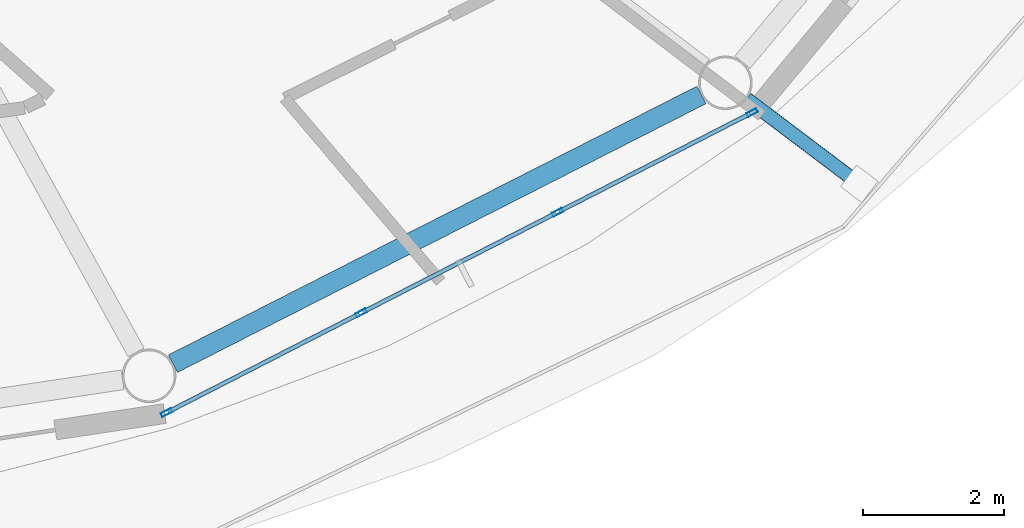
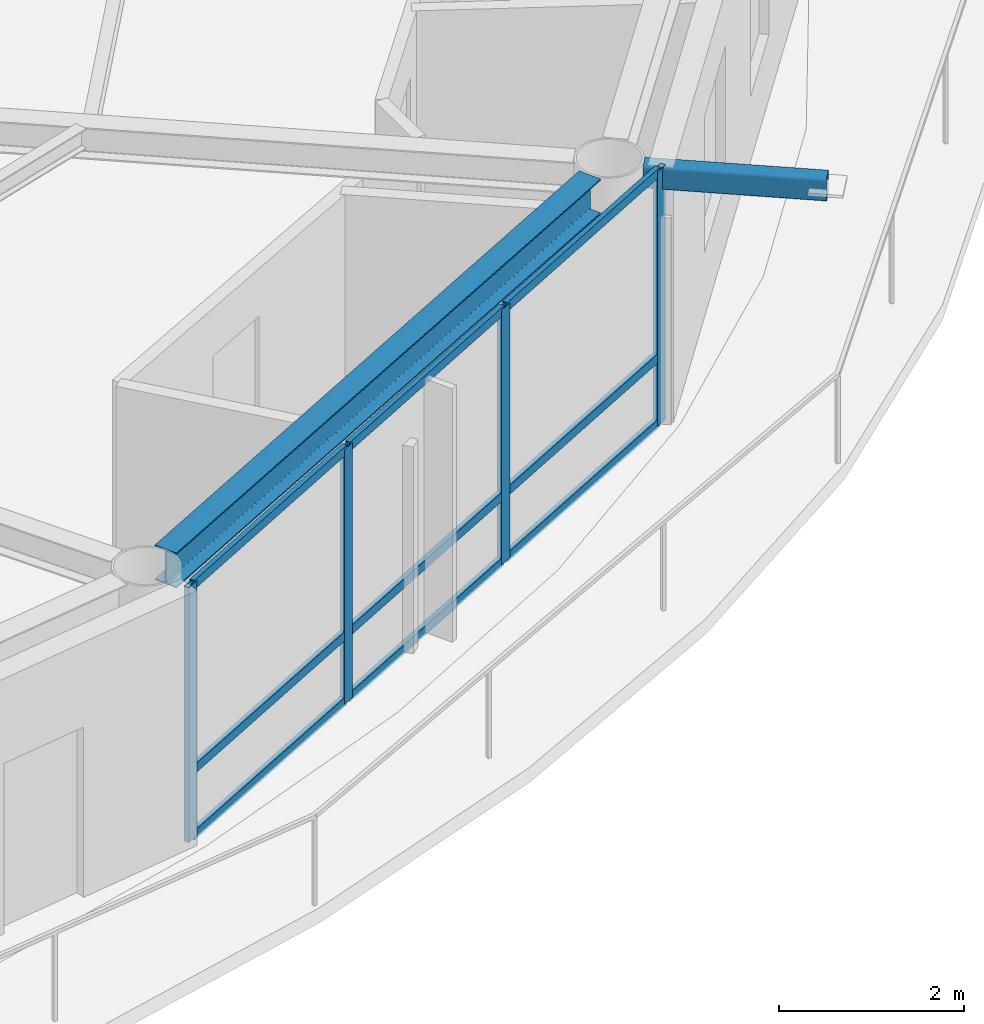
# One storey, part 5 of 23: 14 members, 1 beam, 1 element without a shape of its own.
"""IFC4 building model written with IfcOpenShell, lengths in metres."""

from ifc_helpers import new_model, si_unit, direction, frame, origin, origin_2d, place, context, subcontext, project, spatial, hollow_rectangle, i_section, extrude, material, layer, layer_set, material_profile, profile_set, type_object, element, aggregate, save


model = new_model("IFC4")

# Units and contexts
model_context = context("Model", 3, precision=1e-05, world=origin(), true_north=direction((0.0, 1.0)))
body_context = subcontext(model_context, "Body", "Model", "MODEL_VIEW")
ifc_project = project(units=[si_unit("LENGTHUNIT", "METRE"), si_unit("AREAUNIT", "SQUARE_METRE"), si_unit("VOLUMEUNIT", "CUBIC_METRE"), si_unit("PLANEANGLEUNIT", "RADIAN"), si_unit("MASSUNIT", "GRAM", prefix="KILO")], contexts=[model_context])

# Site, building, storey
site_placement = place(None, origin())
site = spatial("IfcSite", under=ifc_project, at=site_placement, CompositionType="ELEMENT")
building_placement = place(site_placement, origin())
building = spatial("IfcBuilding", under=site, at=building_placement, Name="Sarneth Arch Tower", CompositionType="ELEMENT")
storey_placement = place(building_placement, frame((0.0, 0.0, 273.0)))
storey = spatial("IfcBuildingStorey", under=building, at=storey_placement, Name="L70", CompositionType="ELEMENT", Elevation=273.0)

# Beam
ifc_material_1 = material(Name="Steel S355", Category="steel")
ifc_material_profile_1 = material_profile(ifc_material_1, i_section(OverallWidth=0.280029296875, OverallDepth=0.462890625, WebThickness=0.0107421875, FlangeThickness=0.017333984375, FilletRadius=0.01806640625, at=origin_2d()), Name="W460x113")
ifc_profile_set_1 = profile_set([ifc_material_profile_1], Name="Steel S355")
beam_type = type_object("IfcBeamType", Name="BM-RAD-460A", PredefinedType="BEAM", material=ifc_profile_set_1)
beam_placement = place(storey_placement, frame((58.13037109375, 24.434326171875, 3.138427734375), z_axis=(0.891373613492, 0.453269325204, 0.0), x_axis=(-0.453269325204, 0.891373613492, 0.0)))
element("IfcBeam", 1, at=beam_placement, inside=storey, type_object=beam_type, Name="L70 Perimeter spandrel beam 14", PredefinedType="BEAM", context=body_context, shape_type="SweptSolid", body=[
    extrude(i_section(OverallWidth=0.280029296875, OverallDepth=0.462890625, WebThickness=0.0107421875, FlangeThickness=0.017333984375, FilletRadius=0.01806640625, at=origin_2d()), origin(), (0.0, 0.0, 1.0), 8.419677734375),
])

# Curtain wall, members
ifc_material_2 = material(Name="Anodised aluminium Type AA25 and solar-control low-e laminated IGU", Category="aluminium")
ifc_layer = layer(ifc_material_2, 0.179931640625)
ifc_layer_set = layer_set([ifc_layer], Name="Anodised aluminium Type AA25 and solar-control low-e laminated IGU")
curtain_wall_type = type_object("IfcCurtainWallType", Name="CW-RES-HIGH", PredefinedType="NOTDEFINED", material=ifc_layer_set)
curtain_wall_placement = place(storey_placement, origin())
curtain_wall = element("IfcCurtainWall", 2, at=curtain_wall_placement, inside=storey, type_object=curtain_wall_type, Name="L70 Unitised curtain wall facet 14", PredefinedType="NOTDEFINED")
ifc_material_3 = material(Name="Anodised Aluminium 6063-T6", Category="aluminium")
ifc_material_profile_2 = material_profile(ifc_material_3, hollow_rectangle(XDim=0.06005859375, YDim=0.159912109375, WallThickness=0.00390625, at=origin_2d()), Name="AL-MULL-160x60x4")
ifc_profile_set_2 = profile_set([ifc_material_profile_2], Name="Anodised Aluminium 6063-T6")
member_type_1 = type_object("IfcMemberType", Name="CW-MULLION", PredefinedType="MULLION", material=ifc_profile_set_2)
member_1_placement = place(storey_placement, frame((58.039306640625, 23.7392578125, 0.0), z_axis=(0.0, 0.0, 1.0), x_axis=(-0.455941901753, 0.890009540525, 0.0)))
member_1 = element("IfcMember", 3, at=member_1_placement, type_object=member_type_1, Name="CW-SYS-6 mullion 1", PredefinedType="MULLION", context=body_context, shape_type="SweptSolid", body=[
    extrude(hollow_rectangle(XDim=0.06005859375, YDim=0.159912109375, WallThickness=0.00390625, at=origin_2d()), origin(), (0.0, 0.0, 1.0), 3.3701171875),
])
member_2_placement = place(storey_placement, frame((60.802490234375, 25.155029296875, 0.0), z_axis=(0.0, 0.0, 1.0), x_axis=(-0.455941901753, 0.890009540525, 0.0)))
member_2 = element("IfcMember", 4, at=member_2_placement, type_object=member_type_1, Name="CW-SYS-6 mullion 2", PredefinedType="MULLION", context=body_context, shape_type="SweptSolid", body=[
    extrude(hollow_rectangle(XDim=0.06005859375, YDim=0.159912109375, WallThickness=0.00390625, at=origin_2d()), origin(), (0.0, 0.0, 1.0), 3.3701171875),
])
member_3_placement = place(storey_placement, frame((63.592529296875, 26.584228515625, 0.0), z_axis=(0.0, 0.0, 1.0), x_axis=(-0.455941901753, 0.890009540525, 0.0)))
member_3 = element("IfcMember", 5, at=member_3_placement, type_object=member_type_1, Name="CW-SYS-6 mullion 3", PredefinedType="MULLION", context=body_context, shape_type="SweptSolid", body=[
    extrude(hollow_rectangle(XDim=0.06005859375, YDim=0.159912109375, WallThickness=0.00390625, at=origin_2d()), origin(), (0.0, 0.0, 1.0), 3.3701171875),
])
member_4_placement = place(storey_placement, frame((66.355712890625, 27.999755859375, 0.0), z_axis=(0.0, 0.0, 1.0), x_axis=(-0.455941901753, 0.890009540525, 0.0)))
member_4 = element("IfcMember", 6, at=member_4_placement, type_object=member_type_1, Name="CW-SYS-6 mullion 4", PredefinedType="MULLION", context=body_context, shape_type="SweptSolid", body=[
    extrude(hollow_rectangle(XDim=0.06005859375, YDim=0.159912109375, WallThickness=0.00390625, at=origin_2d()), origin(), (0.0, 0.0, 1.0), 3.3701171875),
])
ifc_material_4 = material(Name="Anodised Aluminium 6063-T6", Category="aluminium")
ifc_material_profile_3 = material_profile(ifc_material_4, hollow_rectangle(XDim=0.06005859375, YDim=0.1201171875, WallThickness=0.00390625, at=origin_2d()), Name="AL-TRAN-120x60x4")
ifc_profile_set_3 = profile_set([ifc_material_profile_3], Name="Anodised Aluminium 6063-T6")
member_type_2 = type_object("IfcMemberType", Name="CW-TRANSOM", PredefinedType="USERDEFINED", material=ifc_profile_set_3)
member_5_placement = place(storey_placement, frame((58.066162109375, 23.7529296875, 0.030029296875), z_axis=(0.889973523166, 0.456012201662, 0.0), x_axis=(-0.456012201662, 0.889973523166, 0.0)))
member_5 = element("IfcMember", 7, at=member_5_placement, type_object=member_type_2, Name="CW-SYS-6 transom 1.1", ObjectType="TRANSOM", PredefinedType="USERDEFINED", context=body_context, shape_type="SweptSolid", body=[
    extrude(hollow_rectangle(XDim=0.06005859375, YDim=0.1201171875, WallThickness=0.00390625, at=origin_2d()), origin(), (0.0, 0.0, 1.0), 3.044677734375),
])
member_6_placement = place(storey_placement, frame((58.066162109375, 23.7529296875, 0.89990234375), z_axis=(0.889973523166, 0.456012201662, 0.0), x_axis=(-0.456012201662, 0.889973523166, 0.0)))
member_6 = element("IfcMember", 8, at=member_6_placement, type_object=member_type_2, Name="CW-SYS-6 transom 1.2", ObjectType="TRANSOM", PredefinedType="USERDEFINED", context=body_context, shape_type="SweptSolid", body=[
    extrude(hollow_rectangle(XDim=0.06005859375, YDim=0.1201171875, WallThickness=0.00390625, at=origin_2d()), origin(), (0.0, 0.0, 1.0), 3.044677734375),
])
member_7_placement = place(storey_placement, frame((58.066162109375, 23.7529296875, 3.340087890625), z_axis=(0.889973523166, 0.456012201662, 0.0), x_axis=(-0.456012201662, 0.889973523166, 0.0)))
member_7 = element("IfcMember", 9, at=member_7_placement, type_object=member_type_2, Name="CW-SYS-6 transom 1.3", ObjectType="TRANSOM", PredefinedType="USERDEFINED", context=body_context, shape_type="SweptSolid", body=[
    extrude(hollow_rectangle(XDim=0.06005859375, YDim=0.1201171875, WallThickness=0.00390625, at=origin_2d()), origin(), (0.0, 0.0, 1.0), 3.044677734375),
])
member_8_placement = place(storey_placement, frame((60.829345703125, 25.168701171875, 0.030029296875), z_axis=(0.890017432405, 0.455926496286, 0.0), x_axis=(-0.455926496286, 0.890017432405, 0.0)))
member_8 = element("IfcMember", 10, at=member_8_placement, type_object=member_type_2, Name="CW-SYS-6 transom 2.1", ObjectType="TRANSOM", PredefinedType="USERDEFINED", context=body_context, shape_type="SweptSolid", body=[
    extrude(hollow_rectangle(XDim=0.06005859375, YDim=0.1201171875, WallThickness=0.00390625, at=origin_2d()), origin(), (0.0, 0.0, 1.0), 3.07470703125),
])
member_9_placement = place(storey_placement, frame((60.829345703125, 25.168701171875, 0.89990234375), z_axis=(0.890017432405, 0.455926496286, 0.0), x_axis=(-0.455926496286, 0.890017432405, 0.0)))
member_9 = element("IfcMember", 11, at=member_9_placement, type_object=member_type_2, Name="CW-SYS-6 transom 2.2", ObjectType="TRANSOM", PredefinedType="USERDEFINED", context=body_context, shape_type="SweptSolid", body=[
    extrude(hollow_rectangle(XDim=0.06005859375, YDim=0.1201171875, WallThickness=0.00390625, at=origin_2d()), origin(), (0.0, 0.0, 1.0), 3.07470703125),
])
member_10_placement = place(storey_placement, frame((60.829345703125, 25.168701171875, 3.340087890625), z_axis=(0.890017432405, 0.455926496286, 0.0), x_axis=(-0.455926496286, 0.890017432405, 0.0)))
member_10 = element("IfcMember", 12, at=member_10_placement, type_object=member_type_2, Name="CW-SYS-6 transom 2.3", ObjectType="TRANSOM", PredefinedType="USERDEFINED", context=body_context, shape_type="SweptSolid", body=[
    extrude(hollow_rectangle(XDim=0.06005859375, YDim=0.1201171875, WallThickness=0.00390625, at=origin_2d()), origin(), (0.0, 0.0, 1.0), 3.07470703125),
])
member_11_placement = place(storey_placement, frame((63.619140625, 26.597900390625, 0.030029296875), z_axis=(0.890022732705, 0.455916149384, 0.0), x_axis=(-0.455916149384, 0.890022732705, 0.0)))
member_11 = element("IfcMember", 13, at=member_11_placement, type_object=member_type_2, Name="CW-SYS-6 transom 3.1", ObjectType="TRANSOM", PredefinedType="USERDEFINED", context=body_context, shape_type="SweptSolid", body=[
    extrude(hollow_rectangle(XDim=0.06005859375, YDim=0.1201171875, WallThickness=0.00390625, at=origin_2d()), origin(), (0.0, 0.0, 1.0), 3.044921875),
])
member_12_placement = place(storey_placement, frame((63.619140625, 26.597900390625, 0.89990234375), z_axis=(0.890022732705, 0.455916149384, 0.0), x_axis=(-0.455916149384, 0.890022732705, 0.0)))
member_12 = element("IfcMember", 14, at=member_12_placement, type_object=member_type_2, Name="CW-SYS-6 transom 3.2", ObjectType="TRANSOM", PredefinedType="USERDEFINED", context=body_context, shape_type="SweptSolid", body=[
    extrude(hollow_rectangle(XDim=0.06005859375, YDim=0.1201171875, WallThickness=0.00390625, at=origin_2d()), origin(), (0.0, 0.0, 1.0), 3.044921875),
])
member_13_placement = place(storey_placement, frame((63.619140625, 26.597900390625, 3.340087890625), z_axis=(0.890022732705, 0.455916149384, 0.0), x_axis=(-0.455916149384, 0.890022732705, 0.0)))
member_13 = element("IfcMember", 15, at=member_13_placement, type_object=member_type_2, Name="CW-SYS-6 transom 3.3", ObjectType="TRANSOM", PredefinedType="USERDEFINED", context=body_context, shape_type="SweptSolid", body=[
    extrude(hollow_rectangle(XDim=0.06005859375, YDim=0.1201171875, WallThickness=0.00390625, at=origin_2d()), origin(), (0.0, 0.0, 1.0), 3.044921875),
])
aggregate(curtain_wall, [member_1, member_2, member_3, member_4, member_5, member_6, member_7, member_8, member_9, member_10, member_11, member_12, member_13])

# Member
ifc_material_5 = material(Name="Steel S355", Category="steel")
ifc_material_profile_4 = material_profile(ifc_material_5, hollow_rectangle(XDim=0.199951171875, YDim=0.300048828125, WallThickness=0.012451171875, InnerFilletRadius=0.018798828125, OuterFilletRadius=0.03125, at=origin_2d()), Name="RHS300x200x12.5")
ifc_profile_set_4 = profile_set([ifc_material_profile_4], Name="Steel S355")
member_type_3 = type_object("IfcMemberType", Name="MEM-CANT-STRUT", PredefinedType="STRUT", material=ifc_profile_set_4)
member_14_placement = place(storey_placement, frame((66.279296875, 28.19384765625, 3.2099609375), z_axis=(0.797989880859, -0.602670847186, 0.0), x_axis=(0.602670847186, 0.797989880859, 0.0)))
element("IfcMember", 16, at=member_14_placement, inside=storey, type_object=member_type_3, Name="L70 Balcony cantilever bracket 15", PredefinedType="STRUT", context=body_context, shape_type="SweptSolid", body=[
    extrude(hollow_rectangle(XDim=0.199951171875, YDim=0.300048828125, WallThickness=0.012451171875, InnerFilletRadius=0.018798828125, OuterFilletRadius=0.03125, at=origin_2d()), origin(), (0.0, 0.0, 1.0), 2.001220703125),
])

save(model, "model.ifc")
